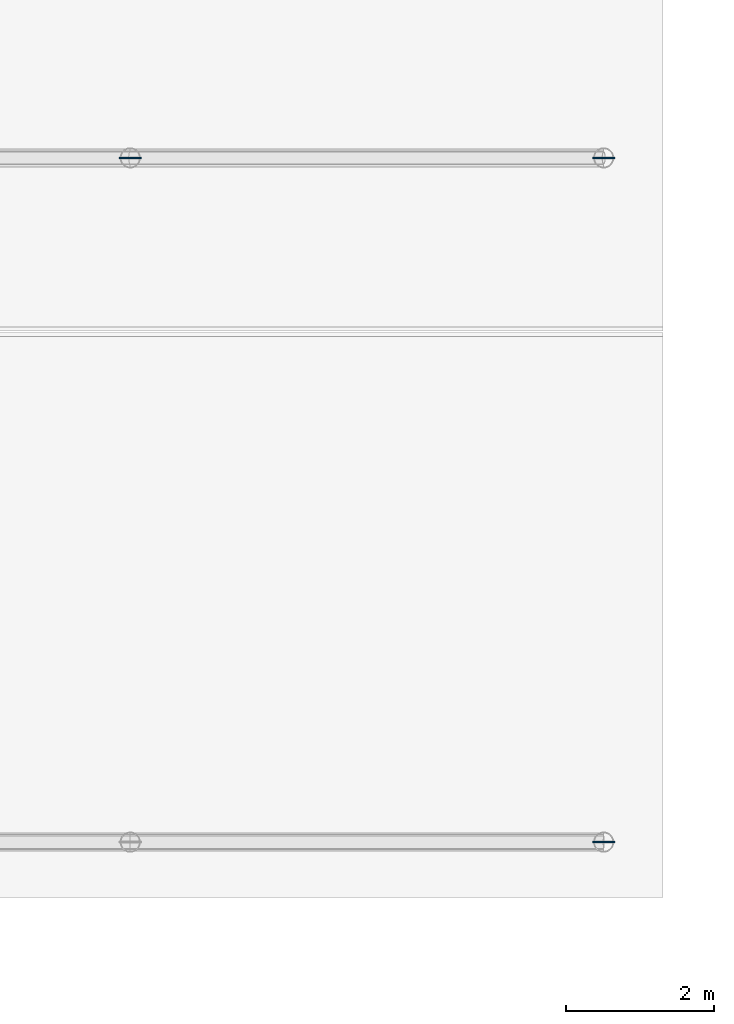
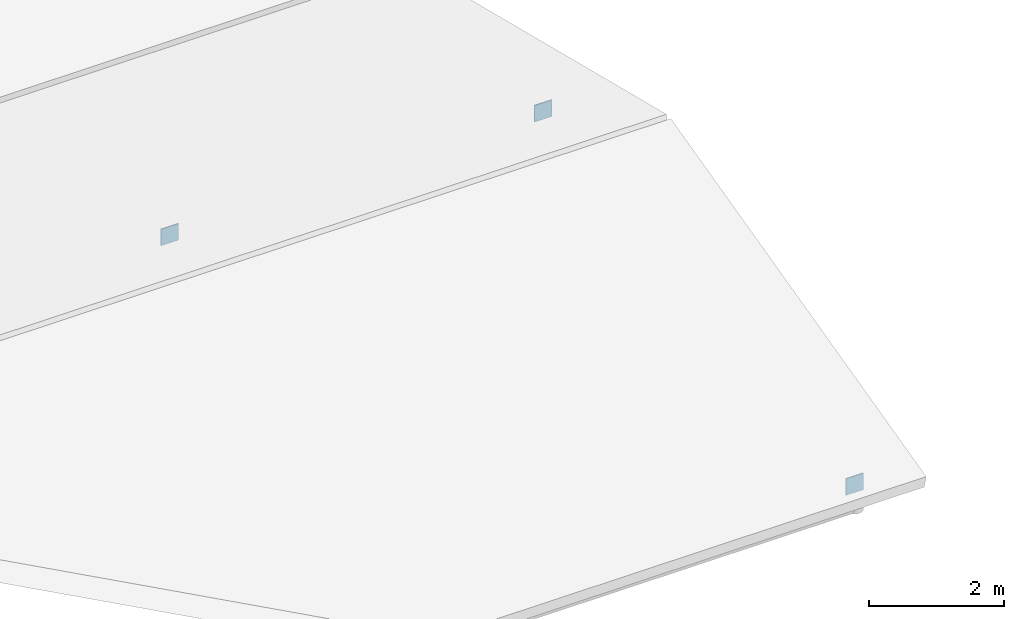
# One storey, part 73 of 91: 3 plates.
"""IFC4 building model written with IfcOpenShell, lengths in metres."""

import ifcopenshell
import ifcopenshell.guid

model = None  # the IFC model being written
_history = None  # IfcOwnerHistory: only IFC2X3 demands one
_inside = {}  # id of a spatial element -> (the spatial element, [elements in it])
_under = {}  # id of a project, library or spatial element -> (it, [spatial elements below it])
_declared = {}  # id of a project -> (the project, [libraries it declares])
_typed = {}  # id of a type object -> (the type object, [elements of that type])
_made_of = {}  # id of a material, layer set ... -> (it, [elements and type objects made of it])


def new_model(schema):
    """Start an empty IFC model of exactly this schema.

    Asked for "IFC4X3", IfcOpenShell would pick the latest addendum, in which some entities
    have other attributes; the version numbers below select the first issue.
    IFC2X3 requires an IfcOwnerHistory on every rooted entity: one is made here for all.
    """
    global model, _history
    if schema == "IFC4X3":
        model = ifcopenshell.file(schema_version=(4, 3, 0, 0))
    else:
        model = ifcopenshell.file(schema=schema)
    _inside.clear()
    _under.clear()
    _declared.clear()
    _typed.clear()
    _made_of.clear()
    _history = None
    if model.schema == "IFC2X3":
        org = make("IfcOrganization", Name="unknown")
        user = make(
            "IfcPersonAndOrganization",
            ThePerson=make("IfcPerson", FamilyName="unknown"),
            TheOrganization=org,
        )
        app = make(
            "IfcApplication",
            ApplicationDeveloper=org,
            Version="unknown",
            ApplicationFullName="unknown",
            ApplicationIdentifier="unknown",
        )
        _history = make(
            "IfcOwnerHistory",
            OwningUser=user,
            OwningApplication=app,
            ChangeAction="ADDED",
            CreationDate=0,
        )
    return model


def make(cls, **values):
    """One entity of the class cls with the attributes given. An attribute that is None is left unset."""
    return model.create_entity(
        cls, **{name: value for name, value in values.items() if value is not None}
    )


def rooted(cls, **values):
    """An entity with a GlobalId (a new one), such as an element, a storey or a relation."""
    return make(cls, GlobalId=ifcopenshell.guid.new(), OwnerHistory=_history, **values)


def si_unit(unit_type, name, prefix=None):
    """IfcSIUnit, for example si_unit("LENGTHUNIT", "METRE", prefix="MILLI")."""
    return make("IfcSIUnit", UnitType=unit_type, Prefix=prefix, Name=name)


def assignment(units):
    """IfcUnitAssignment: the units of a project."""
    return None if units is None else make("IfcUnitAssignment", Units=units)


def point(xyz):
    """IfcCartesianPoint."""
    return None if xyz is None else make("IfcCartesianPoint", Coordinates=xyz)


def direction(xyz):
    """IfcDirection."""
    return None if xyz is None else make("IfcDirection", DirectionRatios=xyz)


def frame(location, z_axis=None, x_axis=None):
    """IfcAxis2Placement3D, a coordinate frame: its origin and axes. An axis left out is left unset."""
    return make(
        "IfcAxis2Placement3D",
        Location=point(location),
        Axis=direction(z_axis),
        RefDirection=direction(x_axis),
    )


def frame_2d(location, x_axis=None):
    """IfcAxis2Placement2D, a coordinate frame in the plane: its origin and x axis."""
    return make(
        "IfcAxis2Placement2D", Location=point(location), RefDirection=direction(x_axis)
    )


def origin():
    """The frame at (0, 0, 0) with its axes left unset."""
    return frame((0.0, 0.0, 0.0))


def origin_2d():
    """The frame at (0, 0) in the plane with its x axis left unset."""
    return frame_2d((0.0, 0.0))


def place(relative_to, where):
    """IfcLocalPlacement: puts the frame where relative to a parent placement (None: the world)."""
    return make(
        "IfcLocalPlacement", PlacementRelTo=relative_to, RelativePlacement=where
    )


def context(
    kind, dimensions, precision=None, world=None, true_north=None, identifier=None
):
    """IfcGeometricRepresentationContext, for example the 3D "Model" context."""
    return make(
        "IfcGeometricRepresentationContext",
        ContextIdentifier=identifier,
        ContextType=kind,
        CoordinateSpaceDimension=dimensions,
        Precision=precision,
        WorldCoordinateSystem=world,
        TrueNorth=true_north,
    )


def subcontext(parent, identifier, kind, view, scale=None):
    """IfcGeometricRepresentationSubContext, for example "Body" below "Model"."""
    return make(
        "IfcGeometricRepresentationSubContext",
        ContextIdentifier=identifier,
        ContextType=kind,
        ParentContext=parent,
        TargetScale=scale,
        TargetView=view,
    )


def project(units=None, contexts=None):
    """IfcProject with its units and contexts."""
    return rooted(
        "IfcProject",
        Name="project",
        RepresentationContexts=contexts,
        UnitsInContext=assignment(units),
    )


def spatial(cls, under=None, at=None, **own):
    """A site, building, storey or space (cls), placed at a placement, below another one or the project."""
    s = rooted(cls, ObjectPlacement=at, **own)
    if under is not None:
        _under.setdefault(under.id(), (under, []))[1].append(s)
    return s


def profile(cls, at=None, kind="AREA", **sizes):
    """A parametric profile (cls). Its sizes go by their IFC names, for example OverallWidth=200.0."""
    return make(cls, ProfileType=kind, Position=at, **sizes)


def rectangle(**sizes):
    """IfcRectangleProfileDef."""
    return profile("IfcRectangleProfileDef", **sizes)


def extrude(swept, where, along, depth):
    """IfcExtrudedAreaSolid: the profile swept, set in the frame where, extruded along a direction by depth."""
    return make(
        "IfcExtrudedAreaSolid",
        SweptArea=swept,
        Position=where,
        ExtrudedDirection=direction(along),
        Depth=depth,
    )


def shape(context_of_items, identifier, shape_type, items):
    """IfcShapeRepresentation: the items that make up one representation, for example the "Body"."""
    return make(
        "IfcShapeRepresentation",
        ContextOfItems=context_of_items,
        RepresentationIdentifier=identifier,
        RepresentationType=shape_type,
        Items=items,
    )


def material(Name=None, Category=None):
    """IfcMaterial."""
    return make("IfcMaterial", Name=Name, Category=Category)


def layer(
    of_material, thickness, ventilated=None, Name=None, Category=None, Priority=None
):
    """IfcMaterialLayer: one layer of a wall or slab, of a material (None: an air gap)."""
    return make(
        "IfcMaterialLayer",
        Material=of_material,
        LayerThickness=thickness,
        IsVentilated=ventilated,
        Name=Name,
        Category=Category,
        Priority=Priority,
    )


def layer_set(layers, Name=None):
    """IfcMaterialLayerSet."""
    return make("IfcMaterialLayerSet", MaterialLayers=layers, LayerSetName=Name)


def made_of(thing, what):
    """Note that an element or type object is made of a material, layer set ...; save() writes the relation."""
    if what is not None:
        _made_of.setdefault(what.id(), (what, []))[1].append(thing)
    return thing


def type_object(cls, material=None, **own):
    """A type object (cls), such as IfcWallType, which elements share."""
    return made_of(rooted(cls, **own), material)


def element(
    cls,
    number,
    at=None,
    inside=None,
    cuts=None,
    type_object=None,
    material=None,
    context=None,
    identifier="Body",
    shape_type=None,
    held_by="IfcProductDefinitionShape",
    body=None,
    shapes=None,
    **own,
):
    """One element of the class cls, such as IfcWall. Its Tag is "e" and its number.

    at: its placement. inside: the storey or other place that contains it. cuts: it is an
    opening in that element (IfcRelVoidsElement). A single representation is given by context,
    identifier, shape_type and body (its items); several are given by shapes. held_by: the class
    of the entity that holds the representations. save() writes the other relations.
    """
    e = rooted(cls, Tag="e%d" % number, ObjectPlacement=at, **own)
    if body is not None:
        shapes = [shape(context, identifier, shape_type, body)]
    if shapes is not None:
        e.Representation = make(held_by, Representations=shapes)
    if inside is not None:
        _inside.setdefault(inside.id(), (inside, []))[1].append(e)
    if cuts is not None:
        rooted(
            "IfcRelVoidsElement", RelatingBuildingElement=cuts, RelatedOpeningElement=e
        )
    if type_object is not None:
        _typed.setdefault(type_object.id(), (type_object, []))[1].append(e)
    return made_of(e, material)


def aggregate(whole, parts):
    """IfcRelAggregates: a whole, such as a stair, and the parts it consists of."""
    return rooted("IfcRelAggregates", RelatingObject=whole, RelatedObjects=parts)


def save(model, path):
    """Write the relations noted so far, then the file.

    IfcRelAggregates (storeys below a building ...), IfcRelContainedInSpatialStructure (elements
    in a storey), IfcRelDefinesByType, IfcRelAssociatesMaterial and IfcRelDeclares: one each for
    every whole, place, type object, material and project.
    """
    for whole, parts in _under.values():
        aggregate(whole, parts)
    for where, things in _inside.values():
        rooted(
            "IfcRelContainedInSpatialStructure",
            RelatedElements=things,
            RelatingStructure=where,
        )
    for kind, things in _typed.values():
        rooted("IfcRelDefinesByType", RelatedObjects=things, RelatingType=kind)
    for what, things in _made_of.values():
        rooted("IfcRelAssociatesMaterial", RelatedObjects=things, RelatingMaterial=what)
    for by, libraries in _declared.values():
        rooted("IfcRelDeclares", RelatingContext=by, RelatedDefinitions=libraries)
    model.write(path)


model = new_model("IFC4")

# Units and contexts
model_context = context("Model", 3, precision=1e-05, world=origin(), true_north=direction((0.0, 1.0)))
body_context = subcontext(model_context, "Body", "Model", "MODEL_VIEW")
ifc_project = project(units=[si_unit("LENGTHUNIT", "METRE"), si_unit("AREAUNIT", "SQUARE_METRE"), si_unit("VOLUMEUNIT", "CUBIC_METRE"), si_unit("PLANEANGLEUNIT", "RADIAN"), si_unit("MASSUNIT", "GRAM", prefix="KILO")], contexts=[model_context])

# Site, building, storey
site_placement = place(None, origin())
site = spatial("IfcSite", under=ifc_project, at=site_placement, CompositionType="ELEMENT")
building_placement = place(site_placement, origin())
building = spatial("IfcBuilding", under=site, at=building_placement, Name="Valcora Specialist Clinic", CompositionType="ELEMENT")
storey_placement = place(building_placement, frame((0.0, 0.0, 13.60009765625)))
storey = spatial("IfcBuildingStorey", under=building, at=storey_placement, Name="L03", CompositionType="ELEMENT", Elevation=13.60009765625)

# Plates
ifc_material = material(Name="Steel ASTM A572 Grade 50", Category="steel")
ifc_layer = layer(ifc_material, 0.02001953125)
ifc_layer_set = layer_set([ifc_layer], Name="Steel ASTM A572 Grade 50")
plate_type = type_object("IfcPlateType", Name="TY-PL-EC273", PredefinedType="USERDEFINED", material=ifc_layer_set)
for number, where, z_axis, x_axis, name in (
    (1, (44.800048828125, 80.949951171875, 0.3017578125), (0.0, 0.0, 1.0), (1.0, 0.0, 0.0), "Stub post end-cap plate COL-RFV2-448-809"),
    (2, (38.39990234375, 90.199951171875, 1.458984375), (0.0, 0.0, 1.0), (1.0, 0.0, 0.0), "Stub post end-cap plate COL-RFV2-384-902"),
    (3, (44.800048828125, 90.199951171875, 1.458984375), (0.0, 0.0, 1.0), (1.0, 0.0, 0.0), "Stub post end-cap plate COL-RFV2-448-902"),
):
    element("IfcPlate", number, at=place(storey_placement, frame(where, z_axis=z_axis, x_axis=x_axis)), inside=storey, type_object=plate_type, Name=name, ObjectType="FLANGE_PLATE", PredefinedType="USERDEFINED", context=body_context, shape_type="SweptSolid", body=[
        extrude(rectangle(XDim=0.300048828125, YDim=0.02001953125, at=origin_2d()), origin(), (0.0, 0.0, 1.0), 0.300048828125),
    ])

save(model, "model.ifc")
